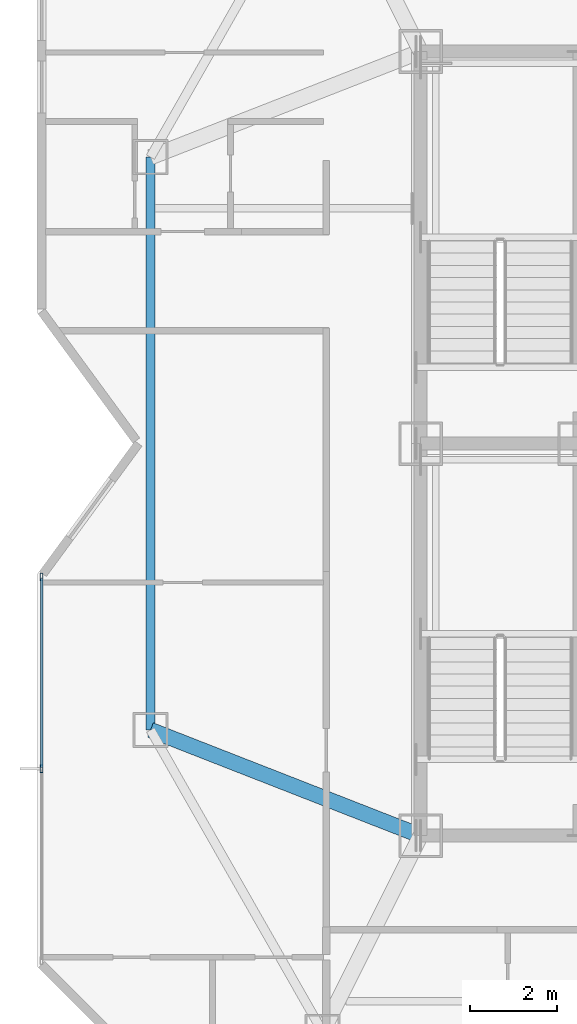
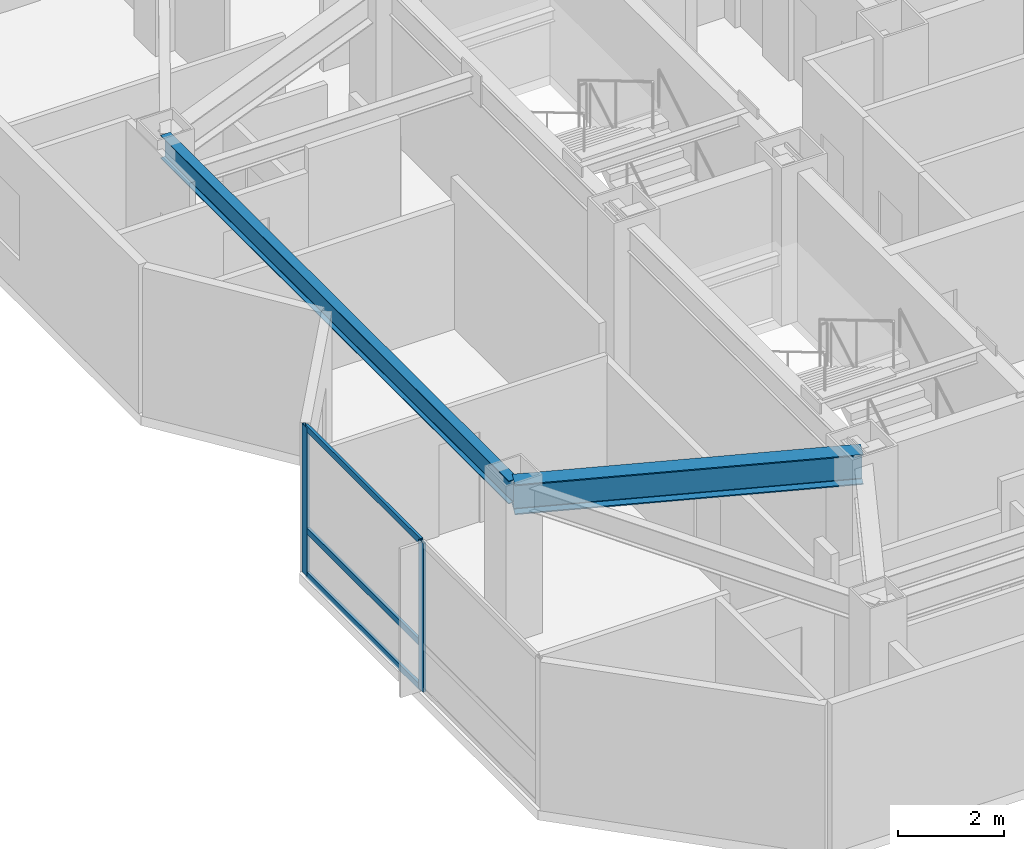
# One storey, part 4 of 14: 5 members, 2 beams, 1 element without a shape of its own.
"""IFC4 building model written with IfcOpenShell, lengths in metres."""

from ifc_helpers import new_model, si_unit, direction, frame, origin, origin_2d, place, context, subcontext, project, spatial, hollow_rectangle, i_section, extrude, material, material_profile, profile_set, type_object, element, aggregate, save


model = new_model("IFC4")

# Units and contexts
model_context = context("Model", 3, precision=1e-05, world=origin(), true_north=direction((0.0, 1.0)))
body_context = subcontext(model_context, "Body", "Model", "MODEL_VIEW")
ifc_project = project(units=[si_unit("LENGTHUNIT", "METRE"), si_unit("AREAUNIT", "SQUARE_METRE"), si_unit("VOLUMEUNIT", "CUBIC_METRE"), si_unit("PLANEANGLEUNIT", "RADIAN"), si_unit("MASSUNIT", "GRAM", prefix="KILO")], contexts=[model_context])

# Site, building, storey
site_placement = place(None, origin())
site = spatial("IfcSite", under=ifc_project, at=site_placement, CompositionType="ELEMENT")
building_placement = place(site_placement, origin())
building = spatial("IfcBuilding", under=site, at=building_placement, Name="Khamvora Tower", CompositionType="ELEMENT")
storey_placement = place(building_placement, frame((0.0, 0.0, 253.699951171875)))
storey = spatial("IfcBuildingStorey", under=building, at=storey_placement, Name="L65", CompositionType="ELEMENT", Elevation=253.699951171875)

# Beams
ifc_material_1 = material(Name="Steel S355", Category="steel")
ifc_material_profile_1 = material_profile(ifc_material_1, i_section(OverallWidth=0.35498046875, OverallDepth=0.695068359375, WebThickness=0.014892578125, FlangeThickness=0.02490234375, FilletRadius=0.01611328125, at=origin_2d()), Name="W690x217")
ifc_profile_set_1 = profile_set([ifc_material_profile_1], Name="Steel S355")
beam_type_1 = type_object("IfcBeamType", Name="BM-PG-W690x217", PredefinedType="BEAM", material=ifc_profile_set_1)
beam_1_placement = place(storey_placement, frame((29.0, 19.0, 3.08203125), z_axis=(-0.931294712743, 0.36426660294, 0.0), x_axis=(-0.36426660294, -0.931294712743, 0.0)))
element("IfcBeam", 1, at=beam_1_placement, inside=storey, type_object=beam_type_1, Name="L65 primary floor girder W1", PredefinedType="BEAM", context=body_context, shape_type="SweptSolid", body=[
    extrude(i_section(OverallWidth=0.35498046875, OverallDepth=0.695068359375, WebThickness=0.014892578125, FlangeThickness=0.02490234375, FilletRadius=0.01611328125, at=origin_2d()), origin(), (0.0, 0.0, 1.0), 6.6572265625),
])
ifc_material_profile_2 = material_profile(ifc_material_1, i_section(OverallWidth=0.208984375, OverallDepth=0.532958984375, WebThickness=0.010009765625, FlangeThickness=0.01611328125, FilletRadius=0.013916015625, at=origin_2d()), Name="W530x92")
ifc_profile_set_2 = profile_set([ifc_material_profile_2], Name="Steel S355")
beam_type_2 = type_object("IfcBeamType", Name="BM-SP-W530x92", PredefinedType="SPANDREL", material=ifc_profile_set_2)
beam_2_placement = place(storey_placement, frame((22.800048828125, 34.574951171875, 3.1630859375), z_axis=(0.0, -1.0, 0.0), x_axis=(1.0, 0.0, 0.0)))
element("IfcBeam", 2, at=beam_2_placement, inside=storey, type_object=beam_type_2, Name="L65 perimeter spandrel beam W2-W1", PredefinedType="SPANDREL", context=body_context, shape_type="SweptSolid", body=[
    extrude(i_section(OverallWidth=0.208984375, OverallDepth=0.532958984375, WebThickness=0.010009765625, FlangeThickness=0.01611328125, FilletRadius=0.013916015625, at=origin_2d()), origin(), (0.0, 0.0, 1.0), 13.14990234375),
])

# Curtain wall, members
ifc_material_2 = material(Name="Anodised Aluminium 6063-T6", Category="aluminium")
curtain_wall_type = type_object("IfcCurtainWallType", Name="CW-SYS-05", PredefinedType="NOTDEFINED", material=ifc_material_2)
curtain_wall_placement = place(storey_placement, origin())
curtain_wall = element("IfcCurtainWall", 3, at=curtain_wall_placement, inside=storey, type_object=curtain_wall_type, Name="L65 stick curtain wall 02.1", PredefinedType="NOTDEFINED")
ifc_material_profile_3 = material_profile(ifc_material_2, hollow_rectangle(XDim=0.06005859375, YDim=0.175048828125, WallThickness=0.0048828125, at=origin_2d()), Name="MUL60x175x5")
ifc_profile_set_3 = profile_set([ifc_material_profile_3], Name="Anodised Aluminium 6063-T6")
member_type_1 = type_object("IfcMemberType", Name="CW-SYS-05-MUL", PredefinedType="MULLION", material=ifc_profile_set_3)
member_1_placement = place(storey_placement, frame((20.300048828125, 20.535400390625, 0.0), z_axis=(0.0, 0.0, 1.0), x_axis=(-1.0, 0.0, 0.0)))
member_1 = element("IfcMember", 4, at=member_1_placement, type_object=member_type_1, Name="CW-05 mullion 2", PredefinedType="MULLION", context=body_context, shape_type="SweptSolid", body=[
    extrude(hollow_rectangle(XDim=0.06005859375, YDim=0.175048828125, WallThickness=0.0048828125, at=origin_2d()), origin(), (0.0, 0.0, 1.0), 3.429931640625),
])
member_2_placement = place(storey_placement, frame((20.300048828125, 24.93701171875, 0.0), z_axis=(0.0, 0.0, 1.0), x_axis=(-1.0, 0.0, 0.0)))
member_2 = element("IfcMember", 5, at=member_2_placement, type_object=member_type_1, Name="CW-05 mullion 3", PredefinedType="MULLION", context=body_context, shape_type="SweptSolid", body=[
    extrude(hollow_rectangle(XDim=0.06005859375, YDim=0.175048828125, WallThickness=0.0048828125, at=origin_2d()), origin(), (0.0, 0.0, 1.0), 3.429931640625),
])
ifc_material_profile_4 = material_profile(ifc_material_2, hollow_rectangle(XDim=0.06005859375, YDim=0.14501953125, WallThickness=0.0048828125, at=origin_2d()), Name="TRN60x145x5")
ifc_profile_set_4 = profile_set([ifc_material_profile_4], Name="Anodised Aluminium 6063-T6")
member_type_2 = type_object("IfcMemberType", Name="CW-SYS-05-TRN", PredefinedType="USERDEFINED", material=ifc_profile_set_4)
member_3_placement = place(storey_placement, frame((20.300048828125, 20.5654296875, 0.030029296875), z_axis=(0.0, 1.0, 0.0), x_axis=(-1.0, 0.0, 0.0)))
member_3 = element("IfcMember", 6, at=member_3_placement, type_object=member_type_2, Name="CW-05 transom 2.1", ObjectType="TRANSOM", PredefinedType="USERDEFINED", context=body_context, shape_type="SweptSolid", body=[
    extrude(hollow_rectangle(XDim=0.06005859375, YDim=0.14501953125, WallThickness=0.0048828125, at=origin_2d()), origin(), (0.0, 0.0, 1.0), 4.341552734375),
])
member_4_placement = place(storey_placement, frame((20.300048828125, 20.5654296875, 1.050048828125), z_axis=(0.0, 1.0, 0.0), x_axis=(-1.0, 0.0, 0.0)))
member_4 = element("IfcMember", 7, at=member_4_placement, type_object=member_type_2, Name="CW-05 transom 2.2", ObjectType="TRANSOM", PredefinedType="USERDEFINED", context=body_context, shape_type="SweptSolid", body=[
    extrude(hollow_rectangle(XDim=0.06005859375, YDim=0.14501953125, WallThickness=0.0048828125, at=origin_2d()), origin(), (0.0, 0.0, 1.0), 4.341552734375),
])
member_5_placement = place(storey_placement, frame((20.300048828125, 20.5654296875, 3.400146484375), z_axis=(0.0, 1.0, 0.0), x_axis=(-1.0, 0.0, 0.0)))
member_5 = element("IfcMember", 8, at=member_5_placement, type_object=member_type_2, Name="CW-05 transom 2.3", ObjectType="TRANSOM", PredefinedType="USERDEFINED", context=body_context, shape_type="SweptSolid", body=[
    extrude(hollow_rectangle(XDim=0.06005859375, YDim=0.14501953125, WallThickness=0.0048828125, at=origin_2d()), origin(), (0.0, 0.0, 1.0), 4.341552734375),
])
aggregate(curtain_wall, [member_1, member_2, member_3, member_4, member_5])

save(model, "model.ifc")
